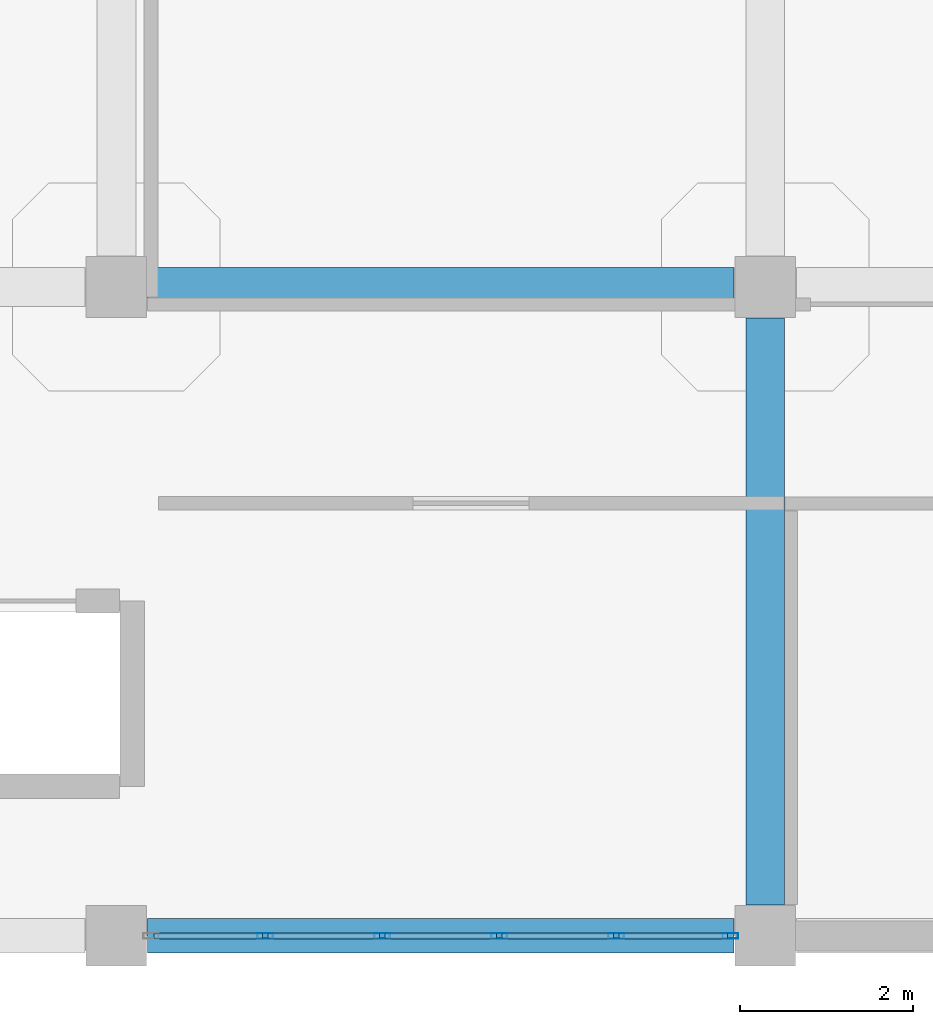
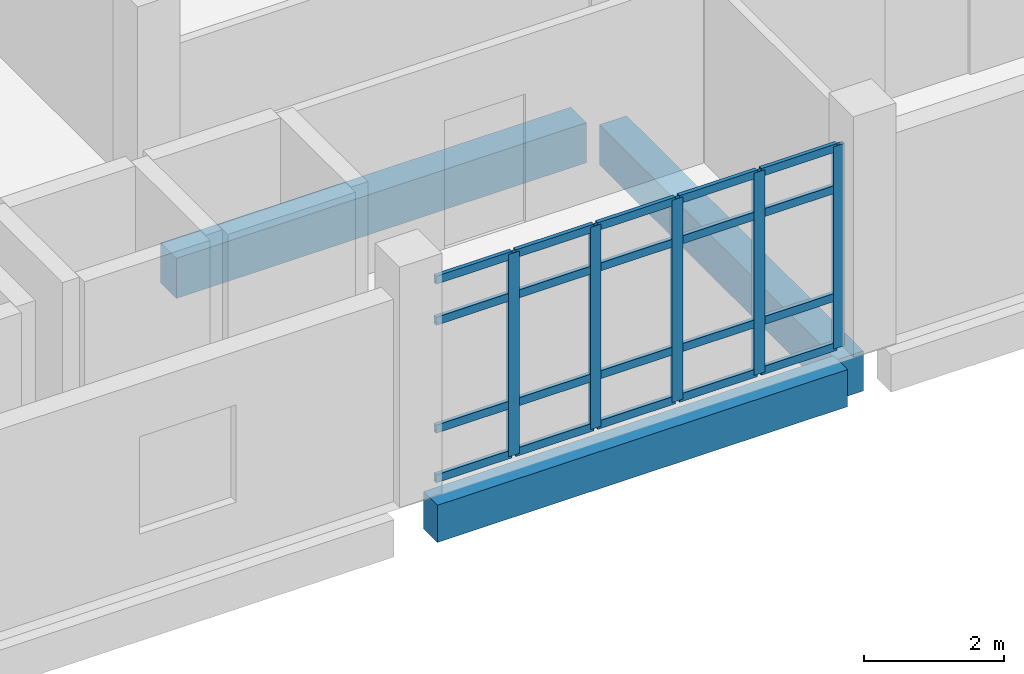
# One storey, part 18 of 164: 25 members, 3 beams, 1 element without a shape of its own.
"""IFC4 building model written with IfcOpenShell, lengths in metres."""

from ifc_helpers import new_model, si_unit, direction, frame, origin, origin_2d, place, context, subcontext, project, spatial, rectangle, hollow_rectangle, extrude, material, layer, layer_set, material_profile, profile_set, type_object, element, aggregate, save


model = new_model("IFC4")

# Units and contexts
model_context = context("Model", 3, precision=1e-05, world=origin(), true_north=direction((0.0, 1.0)))
body_context = subcontext(model_context, "Body", "Model", "MODEL_VIEW")
ifc_project = project(units=[si_unit("LENGTHUNIT", "METRE"), si_unit("AREAUNIT", "SQUARE_METRE"), si_unit("VOLUMEUNIT", "CUBIC_METRE"), si_unit("PLANEANGLEUNIT", "RADIAN"), si_unit("MASSUNIT", "GRAM", prefix="KILO")], contexts=[model_context])

# Site, building, storey
site_placement = place(None, origin())
site = spatial("IfcSite", under=ifc_project, at=site_placement, CompositionType="ELEMENT")
building_placement = place(site_placement, origin())
building = spatial("IfcBuilding", under=site, at=building_placement, Name="Mawjan Specialist Oncology Clinic", CompositionType="ELEMENT")
storey_placement = place(building_placement, frame((0.0, 0.0, 5.0)))
storey = spatial("IfcBuildingStorey", under=building, at=storey_placement, Name="L01", CompositionType="ELEMENT", Elevation=5.0)

# Beams
ifc_material_1 = material(Name="Concrete C40/50", Category="concrete")
ifc_material_profile_1 = material_profile(ifc_material_1, rectangle(XDim=0.449951171875, YDim=0.699951171875, at=origin_2d()), Name="RC BM 450x700", Category="concrete")
ifc_profile_set_1 = profile_set([ifc_material_profile_1], Name="Concrete C40/50")
beam_type_1 = type_object("IfcBeamType", Name="BM-450x700", PredefinedType="BEAM", material=ifc_profile_set_1)
beam_1_placement = place(storey_placement, frame((15.360107421875, 8.300048828125, -0.8701171875), z_axis=(1.0, 0.0, 0.0), x_axis=(0.0, 1.0, 0.0)))
element("IfcBeam", 1, at=beam_1_placement, inside=storey, type_object=beam_type_1, Name="L01 Collector Beam BM-L01-0233", PredefinedType="BEAM", context=body_context, shape_type="SweptSolid", body=[
    extrude(rectangle(XDim=0.449951171875, YDim=0.699951171875, at=origin_2d()), origin(), (0.0, 0.0, 1.0), 6.77978515625),
])
beam_2_placement = place(storey_placement, frame((22.5, 1.159912109375, -0.8701171875), z_axis=(0.0, 1.0, 0.0), x_axis=(-1.0, 0.0, 0.0)))
element("IfcBeam", 2, at=beam_2_placement, inside=storey, type_object=beam_type_1, Name="L01 Collector Beam BM-L01-0446", PredefinedType="BEAM", context=body_context, shape_type="SweptSolid", body=[
    extrude(rectangle(XDim=0.449951171875, YDim=0.699951171875, at=origin_2d()), origin(), (0.0, 0.0, 1.0), 6.780029296875),
])

# Curtain wall, members
ifc_material_2 = material(Name="Unitised spectrally selective aluminium curtain wall", Category="aluminium")
ifc_layer = layer(ifc_material_2, 0.179931640625, Name="Unitised spectrally selective aluminium curtain wall", Category="aluminium")
ifc_layer_set = layer_set([ifc_layer], Name="Unitised spectrally selective aluminium curtain wall")
curtain_wall_type = type_object("IfcCurtainWallType", Name="CW-73", PredefinedType="NOTDEFINED", material=ifc_layer_set)
curtain_wall_placement = place(storey_placement, origin())
curtain_wall = element("IfcCurtainWall", 3, at=curtain_wall_placement, inside=storey, type_object=curtain_wall_type, Name="L01 Unitised Curtain Wall CW-L01-143", PredefinedType="NOTDEFINED")
ifc_material_3 = material(Name="Thermally broken aluminium 6063-T6", Category="aluminium")
ifc_material_profile_2 = material_profile(ifc_material_3, hollow_rectangle(XDim=0.06494140625, YDim=0.179931640625, WallThickness=0.00390625, at=origin_2d()), Name="ALU MULLION 180x65x4", Category="aluminium")
ifc_profile_set_2 = profile_set([ifc_material_profile_2], Name="Thermally broken aluminium 6063-T6")
member_type_1 = type_object("IfcMemberType", Name="CW-M180", PredefinedType="MULLION", material=ifc_profile_set_2)
member_1_placement = place(storey_placement, frame((22.097412109375, 0.800048828125, 0.0), z_axis=(0.0, 0.0, 1.0), x_axis=(0.0, -1.0, 0.0)))
member_1 = element("IfcMember", 4, at=member_1_placement, type_object=member_type_1, Name="CW-73 mullion 1", PredefinedType="MULLION", context=body_context, shape_type="SweptSolid", body=[
    extrude(hollow_rectangle(XDim=0.06494140625, YDim=0.179931640625, WallThickness=0.00390625, at=origin_2d()), origin(), (0.0, 0.0, 1.0), 3.534912109375),
])
member_2_placement = place(storey_placement, frame((20.778076171875, 0.800048828125, 0.0), z_axis=(0.0, 0.0, 1.0), x_axis=(0.0, -1.0, 0.0)))
member_2 = element("IfcMember", 5, at=member_2_placement, type_object=member_type_1, Name="CW-73 mullion 2", PredefinedType="MULLION", context=body_context, shape_type="SweptSolid", body=[
    extrude(hollow_rectangle(XDim=0.06494140625, YDim=0.179931640625, WallThickness=0.00390625, at=origin_2d()), origin(), (0.0, 0.0, 1.0), 3.534912109375),
])
member_3_placement = place(storey_placement, frame((19.426025390625, 0.800048828125, 0.0), z_axis=(0.0, 0.0, 1.0), x_axis=(0.0, -1.0, 0.0)))
member_3 = element("IfcMember", 6, at=member_3_placement, type_object=member_type_1, Name="CW-73 mullion 3", PredefinedType="MULLION", context=body_context, shape_type="SweptSolid", body=[
    extrude(hollow_rectangle(XDim=0.06494140625, YDim=0.179931640625, WallThickness=0.00390625, at=origin_2d()), origin(), (0.0, 0.0, 1.0), 3.534912109375),
])
member_4_placement = place(storey_placement, frame((18.073974609375, 0.800048828125, 0.0), z_axis=(0.0, 0.0, 1.0), x_axis=(0.0, -1.0, 0.0)))
member_4 = element("IfcMember", 7, at=member_4_placement, type_object=member_type_1, Name="CW-73 mullion 4", PredefinedType="MULLION", context=body_context, shape_type="SweptSolid", body=[
    extrude(hollow_rectangle(XDim=0.06494140625, YDim=0.179931640625, WallThickness=0.00390625, at=origin_2d()), origin(), (0.0, 0.0, 1.0), 3.534912109375),
])
member_5_placement = place(storey_placement, frame((16.721923828125, 0.800048828125, 0.0), z_axis=(0.0, 0.0, 1.0), x_axis=(0.0, -1.0, 0.0)))
member_5 = element("IfcMember", 8, at=member_5_placement, type_object=member_type_1, Name="CW-73 mullion 5", PredefinedType="MULLION", context=body_context, shape_type="SweptSolid", body=[
    extrude(hollow_rectangle(XDim=0.06494140625, YDim=0.179931640625, WallThickness=0.00390625, at=origin_2d()), origin(), (0.0, 0.0, 1.0), 3.534912109375),
])
ifc_material_4 = material(Name="Thermally broken aluminium 6063-T6", Category="aluminium")
ifc_material_profile_3 = material_profile(ifc_material_4, hollow_rectangle(XDim=0.06494140625, YDim=0.139892578125, WallThickness=0.00390625, at=origin_2d()), Name="ALU TRANSOM 140x65x4", Category="aluminium")
ifc_profile_set_3 = profile_set([ifc_material_profile_3], Name="Thermally broken aluminium 6063-T6")
member_type_2 = type_object("IfcMemberType", Name="CW-T140", PredefinedType="USERDEFINED", material=ifc_profile_set_3)
member_6_placement = place(storey_placement, frame((22.06494140625, 0.800048828125, 0.032470703125), z_axis=(-1.0, 0.0, 0.0), x_axis=(0.0, -1.0, 0.0)))
member_6 = element("IfcMember", 9, at=member_6_placement, type_object=member_type_2, Name="CW-73 transom 1.1", ObjectType="TRANSOM", PredefinedType="USERDEFINED", context=body_context, shape_type="SweptSolid", body=[
    extrude(hollow_rectangle(XDim=0.06494140625, YDim=0.139892578125, WallThickness=0.00390625, at=origin_2d()), origin(), (0.0, 0.0, 1.0), 1.25439453125),
])
member_7_placement = place(storey_placement, frame((22.06494140625, 0.800048828125, 0.89990234375), z_axis=(-1.0, 0.0, 0.0), x_axis=(0.0, -1.0, 0.0)))
member_7 = element("IfcMember", 10, at=member_7_placement, type_object=member_type_2, Name="CW-73 transom 1.2", ObjectType="TRANSOM", PredefinedType="USERDEFINED", context=body_context, shape_type="SweptSolid", body=[
    extrude(hollow_rectangle(XDim=0.06494140625, YDim=0.139892578125, WallThickness=0.00390625, at=origin_2d()), origin(), (0.0, 0.0, 1.0), 1.25439453125),
])
member_8_placement = place(storey_placement, frame((22.06494140625, 0.800048828125, 2.784912109375), z_axis=(-1.0, 0.0, 0.0), x_axis=(0.0, -1.0, 0.0)))
member_8 = element("IfcMember", 11, at=member_8_placement, type_object=member_type_2, Name="CW-73 transom 1.3", ObjectType="TRANSOM", PredefinedType="USERDEFINED", context=body_context, shape_type="SweptSolid", body=[
    extrude(hollow_rectangle(XDim=0.06494140625, YDim=0.139892578125, WallThickness=0.00390625, at=origin_2d()), origin(), (0.0, 0.0, 1.0), 1.25439453125),
])
member_9_placement = place(storey_placement, frame((22.06494140625, 0.800048828125, 3.50244140625), z_axis=(-1.0, 0.0, 0.0), x_axis=(0.0, -1.0, 0.0)))
member_9 = element("IfcMember", 12, at=member_9_placement, type_object=member_type_2, Name="CW-73 transom 1.4", ObjectType="TRANSOM", PredefinedType="USERDEFINED", context=body_context, shape_type="SweptSolid", body=[
    extrude(hollow_rectangle(XDim=0.06494140625, YDim=0.139892578125, WallThickness=0.00390625, at=origin_2d()), origin(), (0.0, 0.0, 1.0), 1.25439453125),
])
member_10_placement = place(storey_placement, frame((20.74560546875, 0.800048828125, 0.032470703125), z_axis=(-1.0, 0.0, 0.0), x_axis=(0.0, -1.0, 0.0)))
member_10 = element("IfcMember", 13, at=member_10_placement, type_object=member_type_2, Name="CW-73 transom 2.1", ObjectType="TRANSOM", PredefinedType="USERDEFINED", context=body_context, shape_type="SweptSolid", body=[
    extrude(hollow_rectangle(XDim=0.06494140625, YDim=0.139892578125, WallThickness=0.00390625, at=origin_2d()), origin(), (0.0, 0.0, 1.0), 1.287109375),
])
member_11_placement = place(storey_placement, frame((20.74560546875, 0.800048828125, 0.89990234375), z_axis=(-1.0, 0.0, 0.0), x_axis=(0.0, -1.0, 0.0)))
member_11 = element("IfcMember", 14, at=member_11_placement, type_object=member_type_2, Name="CW-73 transom 2.2", ObjectType="TRANSOM", PredefinedType="USERDEFINED", context=body_context, shape_type="SweptSolid", body=[
    extrude(hollow_rectangle(XDim=0.06494140625, YDim=0.139892578125, WallThickness=0.00390625, at=origin_2d()), origin(), (0.0, 0.0, 1.0), 1.287109375),
])
member_12_placement = place(storey_placement, frame((20.74560546875, 0.800048828125, 2.784912109375), z_axis=(-1.0, 0.0, 0.0), x_axis=(0.0, -1.0, 0.0)))
member_12 = element("IfcMember", 15, at=member_12_placement, type_object=member_type_2, Name="CW-73 transom 2.3", ObjectType="TRANSOM", PredefinedType="USERDEFINED", context=body_context, shape_type="SweptSolid", body=[
    extrude(hollow_rectangle(XDim=0.06494140625, YDim=0.139892578125, WallThickness=0.00390625, at=origin_2d()), origin(), (0.0, 0.0, 1.0), 1.287109375),
])
member_13_placement = place(storey_placement, frame((20.74560546875, 0.800048828125, 3.50244140625), z_axis=(-1.0, 0.0, 0.0), x_axis=(0.0, -1.0, 0.0)))
member_13 = element("IfcMember", 16, at=member_13_placement, type_object=member_type_2, Name="CW-73 transom 2.4", ObjectType="TRANSOM", PredefinedType="USERDEFINED", context=body_context, shape_type="SweptSolid", body=[
    extrude(hollow_rectangle(XDim=0.06494140625, YDim=0.139892578125, WallThickness=0.00390625, at=origin_2d()), origin(), (0.0, 0.0, 1.0), 1.287109375),
])
member_14_placement = place(storey_placement, frame((19.3935546875, 0.800048828125, 0.032470703125), z_axis=(-1.0, 0.0, 0.0), x_axis=(0.0, -1.0, 0.0)))
member_14 = element("IfcMember", 17, at=member_14_placement, type_object=member_type_2, Name="CW-73 transom 3.1", ObjectType="TRANSOM", PredefinedType="USERDEFINED", context=body_context, shape_type="SweptSolid", body=[
    extrude(hollow_rectangle(XDim=0.06494140625, YDim=0.139892578125, WallThickness=0.00390625, at=origin_2d()), origin(), (0.0, 0.0, 1.0), 1.287109375),
])
member_15_placement = place(storey_placement, frame((19.3935546875, 0.800048828125, 0.89990234375), z_axis=(-1.0, 0.0, 0.0), x_axis=(0.0, -1.0, 0.0)))
member_15 = element("IfcMember", 18, at=member_15_placement, type_object=member_type_2, Name="CW-73 transom 3.2", ObjectType="TRANSOM", PredefinedType="USERDEFINED", context=body_context, shape_type="SweptSolid", body=[
    extrude(hollow_rectangle(XDim=0.06494140625, YDim=0.139892578125, WallThickness=0.00390625, at=origin_2d()), origin(), (0.0, 0.0, 1.0), 1.287109375),
])
member_16_placement = place(storey_placement, frame((19.3935546875, 0.800048828125, 2.784912109375), z_axis=(-1.0, 0.0, 0.0), x_axis=(0.0, -1.0, 0.0)))
member_16 = element("IfcMember", 19, at=member_16_placement, type_object=member_type_2, Name="CW-73 transom 3.3", ObjectType="TRANSOM", PredefinedType="USERDEFINED", context=body_context, shape_type="SweptSolid", body=[
    extrude(hollow_rectangle(XDim=0.06494140625, YDim=0.139892578125, WallThickness=0.00390625, at=origin_2d()), origin(), (0.0, 0.0, 1.0), 1.287109375),
])
member_17_placement = place(storey_placement, frame((19.3935546875, 0.800048828125, 3.50244140625), z_axis=(-1.0, 0.0, 0.0), x_axis=(0.0, -1.0, 0.0)))
member_17 = element("IfcMember", 20, at=member_17_placement, type_object=member_type_2, Name="CW-73 transom 3.4", ObjectType="TRANSOM", PredefinedType="USERDEFINED", context=body_context, shape_type="SweptSolid", body=[
    extrude(hollow_rectangle(XDim=0.06494140625, YDim=0.139892578125, WallThickness=0.00390625, at=origin_2d()), origin(), (0.0, 0.0, 1.0), 1.287109375),
])
member_18_placement = place(storey_placement, frame((18.04150390625, 0.800048828125, 0.032470703125), z_axis=(-1.0, 0.0, 0.0), x_axis=(0.0, -1.0, 0.0)))
member_18 = element("IfcMember", 21, at=member_18_placement, type_object=member_type_2, Name="CW-73 transom 4.1", ObjectType="TRANSOM", PredefinedType="USERDEFINED", context=body_context, shape_type="SweptSolid", body=[
    extrude(hollow_rectangle(XDim=0.06494140625, YDim=0.139892578125, WallThickness=0.00390625, at=origin_2d()), origin(), (0.0, 0.0, 1.0), 1.287109375),
])
member_19_placement = place(storey_placement, frame((18.04150390625, 0.800048828125, 0.89990234375), z_axis=(-1.0, 0.0, 0.0), x_axis=(0.0, -1.0, 0.0)))
member_19 = element("IfcMember", 22, at=member_19_placement, type_object=member_type_2, Name="CW-73 transom 4.2", ObjectType="TRANSOM", PredefinedType="USERDEFINED", context=body_context, shape_type="SweptSolid", body=[
    extrude(hollow_rectangle(XDim=0.06494140625, YDim=0.139892578125, WallThickness=0.00390625, at=origin_2d()), origin(), (0.0, 0.0, 1.0), 1.287109375),
])
member_20_placement = place(storey_placement, frame((18.04150390625, 0.800048828125, 2.784912109375), z_axis=(-1.0, 0.0, 0.0), x_axis=(0.0, -1.0, 0.0)))
member_20 = element("IfcMember", 23, at=member_20_placement, type_object=member_type_2, Name="CW-73 transom 4.3", ObjectType="TRANSOM", PredefinedType="USERDEFINED", context=body_context, shape_type="SweptSolid", body=[
    extrude(hollow_rectangle(XDim=0.06494140625, YDim=0.139892578125, WallThickness=0.00390625, at=origin_2d()), origin(), (0.0, 0.0, 1.0), 1.287109375),
])
member_21_placement = place(storey_placement, frame((18.04150390625, 0.800048828125, 3.50244140625), z_axis=(-1.0, 0.0, 0.0), x_axis=(0.0, -1.0, 0.0)))
member_21 = element("IfcMember", 24, at=member_21_placement, type_object=member_type_2, Name="CW-73 transom 4.4", ObjectType="TRANSOM", PredefinedType="USERDEFINED", context=body_context, shape_type="SweptSolid", body=[
    extrude(hollow_rectangle(XDim=0.06494140625, YDim=0.139892578125, WallThickness=0.00390625, at=origin_2d()), origin(), (0.0, 0.0, 1.0), 1.287109375),
])
member_22_placement = place(storey_placement, frame((16.689453125, 0.800048828125, 0.032470703125), z_axis=(-1.0, 0.0, 0.0), x_axis=(0.0, -1.0, 0.0)))
member_22 = element("IfcMember", 25, at=member_22_placement, type_object=member_type_2, Name="CW-73 transom 5.1", ObjectType="TRANSOM", PredefinedType="USERDEFINED", context=body_context, shape_type="SweptSolid", body=[
    extrude(hollow_rectangle(XDim=0.06494140625, YDim=0.139892578125, WallThickness=0.00390625, at=origin_2d()), origin(), (0.0, 0.0, 1.0), 1.25439453125),
])
member_23_placement = place(storey_placement, frame((16.689453125, 0.800048828125, 0.89990234375), z_axis=(-1.0, 0.0, 0.0), x_axis=(0.0, -1.0, 0.0)))
member_23 = element("IfcMember", 26, at=member_23_placement, type_object=member_type_2, Name="CW-73 transom 5.2", ObjectType="TRANSOM", PredefinedType="USERDEFINED", context=body_context, shape_type="SweptSolid", body=[
    extrude(hollow_rectangle(XDim=0.06494140625, YDim=0.139892578125, WallThickness=0.00390625, at=origin_2d()), origin(), (0.0, 0.0, 1.0), 1.25439453125),
])
member_24_placement = place(storey_placement, frame((16.689453125, 0.800048828125, 2.784912109375), z_axis=(-1.0, 0.0, 0.0), x_axis=(0.0, -1.0, 0.0)))
member_24 = element("IfcMember", 27, at=member_24_placement, type_object=member_type_2, Name="CW-73 transom 5.3", ObjectType="TRANSOM", PredefinedType="USERDEFINED", context=body_context, shape_type="SweptSolid", body=[
    extrude(hollow_rectangle(XDim=0.06494140625, YDim=0.139892578125, WallThickness=0.00390625, at=origin_2d()), origin(), (0.0, 0.0, 1.0), 1.25439453125),
])
member_25_placement = place(storey_placement, frame((16.689453125, 0.800048828125, 3.50244140625), z_axis=(-1.0, 0.0, 0.0), x_axis=(0.0, -1.0, 0.0)))
member_25 = element("IfcMember", 28, at=member_25_placement, type_object=member_type_2, Name="CW-73 transom 5.4", ObjectType="TRANSOM", PredefinedType="USERDEFINED", context=body_context, shape_type="SweptSolid", body=[
    extrude(hollow_rectangle(XDim=0.06494140625, YDim=0.139892578125, WallThickness=0.00390625, at=origin_2d()), origin(), (0.0, 0.0, 1.0), 1.25439453125),
])
aggregate(curtain_wall, [member_1, member_2, member_3, member_4, member_5, member_6, member_7, member_8, member_9, member_10, member_11, member_12, member_13, member_14, member_15, member_16, member_17, member_18, member_19, member_20, member_21, member_22, member_23, member_24, member_25])

# Beam
ifc_material_5 = material(Name="Concrete C45/55", Category="concrete")
ifc_material_profile_4 = material_profile(ifc_material_5, rectangle(XDim=0.39990234375, YDim=0.64990234375, at=origin_2d()), Name="RC BM 400x650", Category="concrete")
ifc_profile_set_4 = profile_set([ifc_material_profile_4], Name="Concrete C45/55")
beam_type_2 = type_object("IfcBeamType", Name="SP-400x650", PredefinedType="SPANDREL", material=ifc_profile_set_4)
beam_3_placement = place(storey_placement, frame((15.360107421875, 0.800048828125, -0.625), z_axis=(1.0, 0.0, 0.0), x_axis=(0.0, 1.0, 0.0)))
element("IfcBeam", 29, at=beam_3_placement, inside=storey, type_object=beam_type_2, Name="L01 Spandrel Beam BM-L01-0227", PredefinedType="SPANDREL", context=body_context, shape_type="SweptSolid", body=[
    extrude(rectangle(XDim=0.39990234375, YDim=0.64990234375, at=origin_2d()), origin(), (0.0, 0.0, 1.0), 6.77978515625),
])

save(model, "model.ifc")
